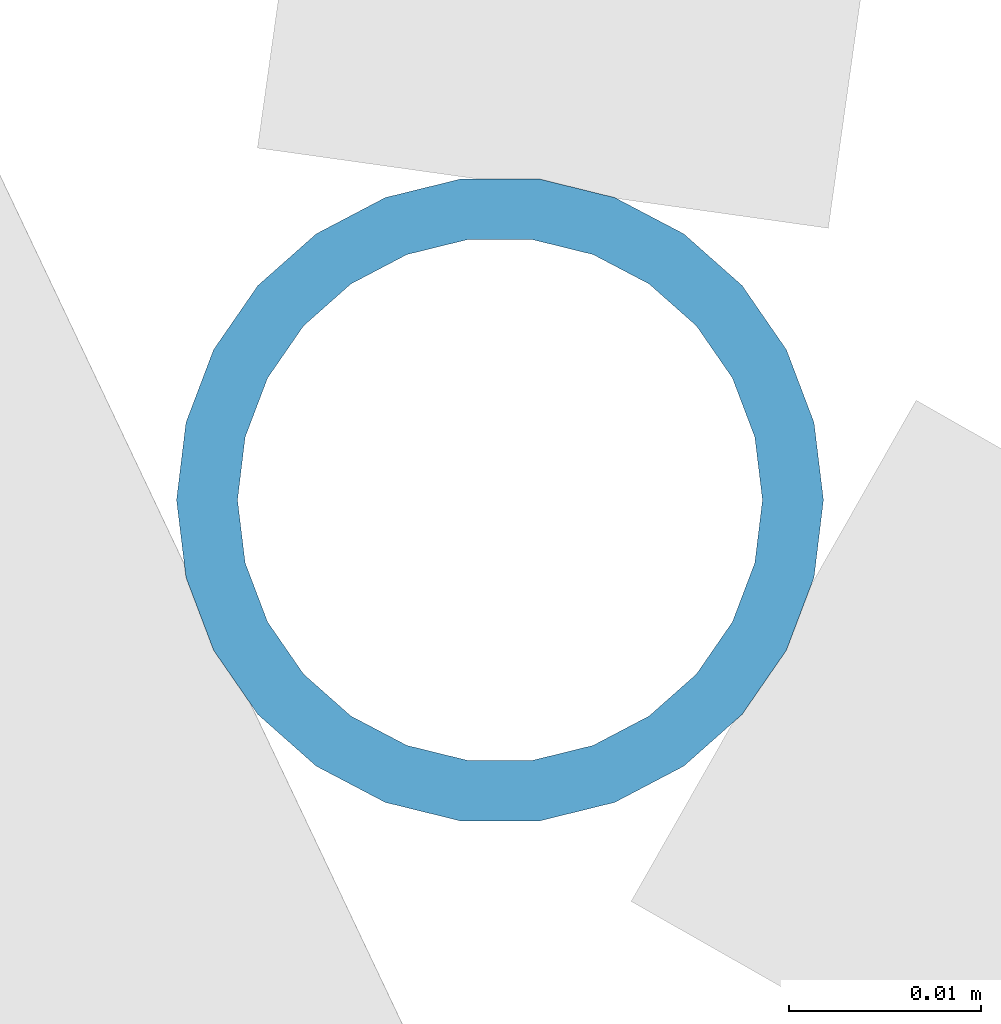
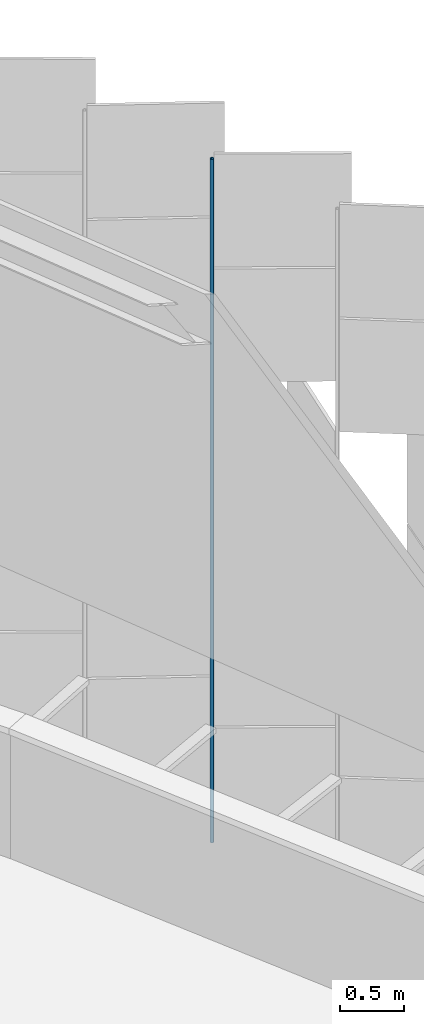
# One storey, part 308 of 483: 1 discrete accessory.
"""IFC4 building model written with IfcOpenShell, lengths in metres."""

from ifc_helpers import new_model, si_unit, direction, frame, origin, origin_2d, place, context, subcontext, project, spatial, hollow_circle, extrude, material, material_profile, profile_set, type_object, element, save


model = new_model("IFC4")

# Units and contexts
model_context = context("Model", 3, precision=1e-05, world=origin(), true_north=direction((0.0, 1.0)))
body_context = subcontext(model_context, "Body", "Model", "MODEL_VIEW")
ifc_project = project(units=[si_unit("LENGTHUNIT", "METRE"), si_unit("AREAUNIT", "SQUARE_METRE"), si_unit("VOLUMEUNIT", "CUBIC_METRE"), si_unit("PLANEANGLEUNIT", "RADIAN"), si_unit("MASSUNIT", "GRAM", prefix="KILO")], contexts=[model_context])

# Site, building, storey
site_placement = place(None, origin())
site = spatial("IfcSite", under=ifc_project, at=site_placement, CompositionType="ELEMENT")
building_placement = place(site_placement, origin())
building = spatial("IfcBuilding", under=site, at=building_placement, Name="Parallax Yard Mobility Hub", CompositionType="ELEMENT")
storey_placement = place(building_placement, frame((0.0, 0.0, 13.199951171875)))
storey = spatial("IfcBuildingStorey", under=building, at=storey_placement, Name="L04", CompositionType="ELEMENT", Elevation=13.199951171875)

# Discrete accessory
ifc_material = material(Name="Steel ASTM A500 Gr C, hot-dip galvanised", Category="steel")
ifc_material_profile = material_profile(ifc_material, hollow_circle(Radius=0.016845703125, WallThickness=0.003173828125, at=origin_2d()), Name="CHS 33.7x3.2")
ifc_profile_set = profile_set([ifc_material_profile], Name="Steel ASTM A500 Gr C, hot-dip galvanised")
discrete_accessory_type = type_object("IfcDiscreteAccessoryType", Name="Hinge post CHS 33.7x3.2", PredefinedType="BRACKET", material=ifc_profile_set)
discrete_accessory_placement = place(storey_placement, frame((220.54052734375, 113.131591796875, 0.0), z_axis=(0.0, 0.0, 1.0), x_axis=(1.0, 0.0, 0.0)))
element("IfcDiscreteAccessory", 1, at=discrete_accessory_placement, inside=storey, type_object=discrete_accessory_type, Name="Hinge post bay 43.7 level L04", PredefinedType="BRACKET", context=body_context, shape_type="SweptSolid", body=[
    extrude(hollow_circle(Radius=0.016845703125, WallThickness=0.003173828125, at=origin_2d()), origin(), (0.0, 0.0, 1.0), 6.550048828125),
])

save(model, "model.ifc")
